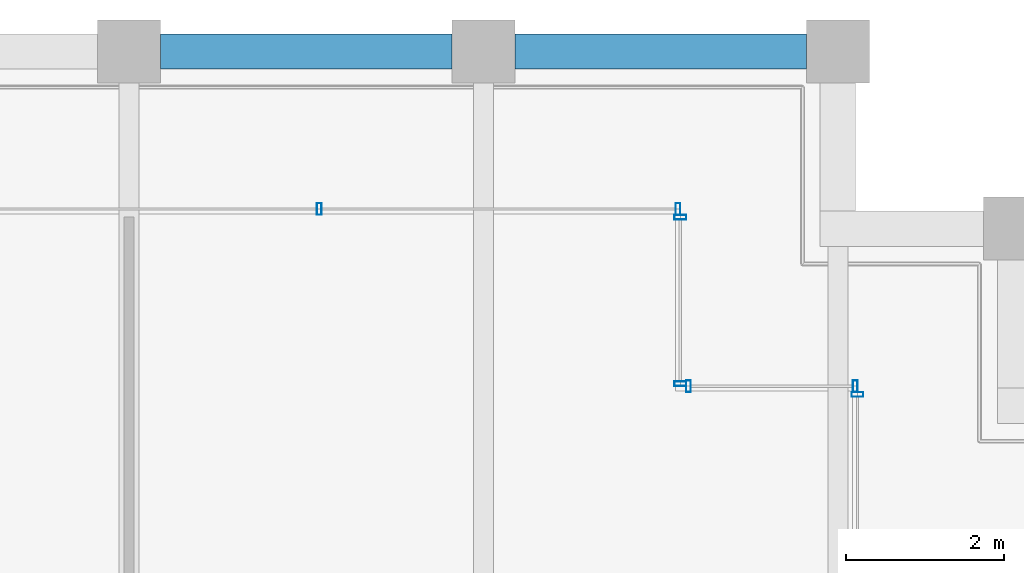
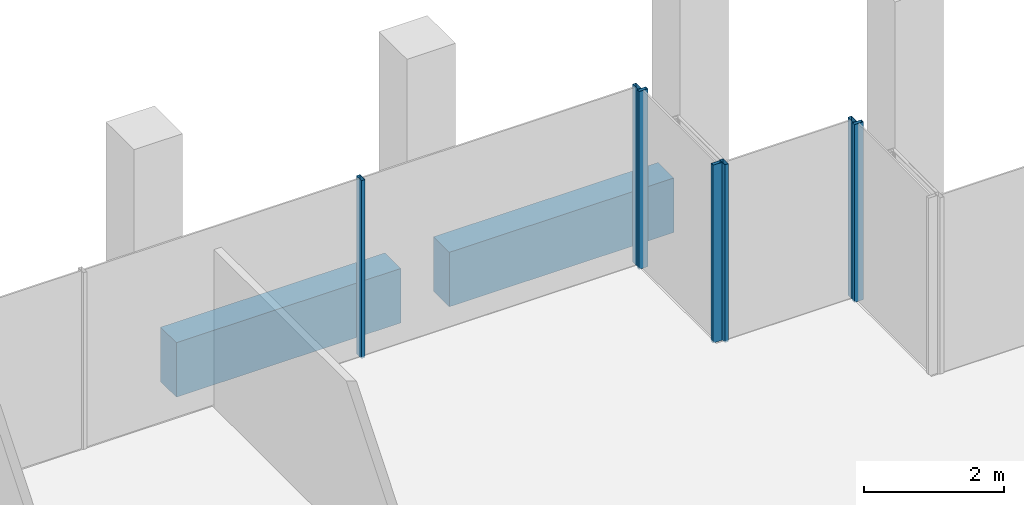
# One storey, part 26 of 30: 7 members, 2 beams, 4 elements without a shape of their own.
"""IFC4 building model written with IfcOpenShell, lengths in metres."""

from ifc_helpers import new_model, si_unit, direction, frame, origin, origin_2d, place, context, subcontext, project, spatial, rectangle, hollow_rectangle, extrude, material, material_profile, profile_set, type_object, element, aggregate, save


model = new_model("IFC4")

# Units and contexts
model_context = context("Model", 3, precision=1e-05, world=origin(), true_north=direction((0.0, 1.0)))
body_context = subcontext(model_context, "Body", "Model", "MODEL_VIEW")
ifc_project = project(units=[si_unit("LENGTHUNIT", "METRE"), si_unit("AREAUNIT", "SQUARE_METRE"), si_unit("VOLUMEUNIT", "CUBIC_METRE"), si_unit("PLANEANGLEUNIT", "RADIAN"), si_unit("MASSUNIT", "GRAM", prefix="KILO")], contexts=[model_context])

# Site, building, storey
site_placement = place(None, origin())
site = spatial("IfcSite", under=ifc_project, at=site_placement, CompositionType="ELEMENT")
building_placement = place(site_placement, origin())
building = spatial("IfcBuilding", under=site, at=building_placement, Name="Altepetl Exchange Towers", CompositionType="ELEMENT")
storey_placement = place(building_placement, frame((0.0, 0.0, 213.60009765625)))
storey = spatial("IfcBuildingStorey", under=building, at=storey_placement, Name="L54", CompositionType="ELEMENT", Elevation=213.60009765625)

# Curtain wall, member
ifc_material_1 = material(Name="Aluminium 6063-T6 glazing", Category="aluminium")
curtain_wall_type = type_object("IfcCurtainWallType", Name="Loggia glazing system", PredefinedType="NOTDEFINED", material=ifc_material_1)
curtain_wall_1_placement = place(storey_placement, origin())
curtain_wall_1 = element("IfcCurtainWall", 1, at=curtain_wall_1_placement, inside=storey, type_object=curtain_wall_type, Name="CW1 run", PredefinedType="NOTDEFINED")
ifc_material_2 = material(Name="Aluminium 6063-T6", Category="aluminium")
ifc_material_profile_1 = material_profile(ifc_material_2, hollow_rectangle(XDim=0.06005859375, YDim=0.14990234375, WallThickness=0.0029296875, at=origin_2d()), Name="Mullion 60x150 aluminium")
ifc_profile_set_1 = profile_set([ifc_material_profile_1], Name="Aluminium 6063-T6")
member_type = type_object("IfcMemberType", Name="Mullion 60x150 aluminium", PredefinedType="MULLION", material=ifc_profile_set_1)
member_1_placement = place(storey_placement, frame((67.75, 67.64501953125, 0.0), z_axis=(0.0, 0.0, 1.0), x_axis=(0.0, 1.0, 0.0)))
member_1 = element("IfcMember", 2, at=member_1_placement, type_object=member_type, Name="MU1 mullion", PredefinedType="MULLION", context=body_context, shape_type="SweptSolid", body=[
    extrude(hollow_rectangle(XDim=0.06005859375, YDim=0.14990234375, WallThickness=0.0029296875, at=origin_2d()), origin(), (0.0, 0.0, 1.0), 3.099853515625),
])
aggregate(curtain_wall_1, [member_1])

# Curtain wall, members
curtain_wall_2_placement = place(storey_placement, origin())
curtain_wall_2 = element("IfcCurtainWall", 3, at=curtain_wall_2_placement, inside=storey, type_object=curtain_wall_type, Name="CW1 run", PredefinedType="NOTDEFINED")
member_2_placement = place(storey_placement, frame((67.719970703125, 67.75, 0.0), z_axis=(0.0, 0.0, 1.0), x_axis=(-1.0, 0.0, 0.0)))
member_2 = element("IfcMember", 4, at=member_2_placement, type_object=member_type, Name="MU1 mullion", PredefinedType="MULLION", context=body_context, shape_type="SweptSolid", body=[
    extrude(hollow_rectangle(XDim=0.06005859375, YDim=0.14990234375, WallThickness=0.0029296875, at=origin_2d()), origin(), (0.0, 0.0, 1.0), 3.099853515625),
])
member_3_placement = place(storey_placement, frame((65.60498046875, 67.75, 0.0), z_axis=(0.0, 0.0, 1.0), x_axis=(-1.0, 0.0, 0.0)))
member_3 = element("IfcMember", 5, at=member_3_placement, type_object=member_type, Name="MU1 mullion", PredefinedType="MULLION", context=body_context, shape_type="SweptSolid", body=[
    extrude(hollow_rectangle(XDim=0.06005859375, YDim=0.14990234375, WallThickness=0.0029296875, at=origin_2d()), origin(), (0.0, 0.0, 1.0), 3.099853515625),
])
aggregate(curtain_wall_2, [member_2, member_3])

curtain_wall_3_placement = place(storey_placement, origin())
curtain_wall_3 = element("IfcCurtainWall", 6, at=curtain_wall_3_placement, inside=storey, type_object=curtain_wall_type, Name="CW1 run", PredefinedType="NOTDEFINED")
member_4_placement = place(storey_placement, frame((65.5, 67.780029296875, 0.0), z_axis=(0.0, 0.0, 1.0), x_axis=(0.0, 1.0, 0.0)))
member_4 = element("IfcMember", 7, at=member_4_placement, type_object=member_type, Name="MU1 mullion", PredefinedType="MULLION", context=body_context, shape_type="SweptSolid", body=[
    extrude(hollow_rectangle(XDim=0.06005859375, YDim=0.14990234375, WallThickness=0.0029296875, at=origin_2d()), origin(), (0.0, 0.0, 1.0), 3.099853515625),
])
member_5_placement = place(storey_placement, frame((65.5, 69.89501953125, 0.0), z_axis=(0.0, 0.0, 1.0), x_axis=(0.0, 1.0, 0.0)))
member_5 = element("IfcMember", 8, at=member_5_placement, type_object=member_type, Name="MU1 mullion", PredefinedType="MULLION", context=body_context, shape_type="SweptSolid", body=[
    extrude(hollow_rectangle(XDim=0.06005859375, YDim=0.14990234375, WallThickness=0.0029296875, at=origin_2d()), origin(), (0.0, 0.0, 1.0), 3.099853515625),
])
aggregate(curtain_wall_3, [member_4, member_5])

curtain_wall_4_placement = place(storey_placement, origin())
curtain_wall_4 = element("IfcCurtainWall", 9, at=curtain_wall_4_placement, inside=storey, type_object=curtain_wall_type, Name="CW1 run", PredefinedType="NOTDEFINED")
member_6_placement = place(storey_placement, frame((65.469970703125, 70.0, 0.0), z_axis=(0.0, 0.0, 1.0), x_axis=(-1.0, 0.0, 0.0)))
member_6 = element("IfcMember", 10, at=member_6_placement, type_object=member_type, Name="MU1 mullion", PredefinedType="MULLION", context=body_context, shape_type="SweptSolid", body=[
    extrude(hollow_rectangle(XDim=0.06005859375, YDim=0.14990234375, WallThickness=0.0029296875, at=origin_2d()), origin(), (0.0, 0.0, 1.0), 3.099853515625),
])
member_7_placement = place(storey_placement, frame((60.9150390625, 70.0, 0.0), z_axis=(0.0, 0.0, 1.0), x_axis=(-1.0, 0.0, 0.0)))
member_7 = element("IfcMember", 11, at=member_7_placement, type_object=member_type, Name="MU1 mullion", PredefinedType="MULLION", context=body_context, shape_type="SweptSolid", body=[
    extrude(hollow_rectangle(XDim=0.06005859375, YDim=0.14990234375, WallThickness=0.0029296875, at=origin_2d()), origin(), (0.0, 0.0, 1.0), 3.099853515625),
])
aggregate(curtain_wall_4, [member_6, member_7])

# Beams
ifc_material_3 = material(Name="Concrete C50/60 precast with cantera rosa facing", Category="concrete")
ifc_material_profile_2 = material_profile(ifc_material_3, rectangle(XDim=0.449951171875, YDim=0.949951171875, at=origin_2d()), Name="450 x 950")
ifc_profile_set_2 = profile_set([ifc_material_profile_2], Name="Concrete C50/60 precast with cantera rosa facing")
beam_type = type_object("IfcBeamType", Name="Spandrel beam 450x950 cantera rosa", PredefinedType="SPANDREL", material=ifc_profile_set_2)
for number, where, z_axis, x_axis, name in (
    (12, (67.10009765625, 72.0, -0.625), (-1.0, 0.0, 0.0), (0.0, -1.0, 0.0), "sp:A:L54:024"),
    (13, (62.60009765625, 72.0, -0.625), (-1.0, 0.0, 0.0), (0.0, -1.0, 0.0), "sp:A:L54:025"),
):
    element("IfcBeam", number, at=place(storey_placement, frame(where, z_axis=z_axis, x_axis=x_axis)), inside=storey, type_object=beam_type, Name=name, PredefinedType="SPANDREL", context=body_context, shape_type="SweptSolid", body=[
        extrude(rectangle(XDim=0.449951171875, YDim=0.949951171875, at=origin_2d()), origin(), (0.0, 0.0, 1.0), 3.7001953125),
    ])

save(model, "model.ifc")
